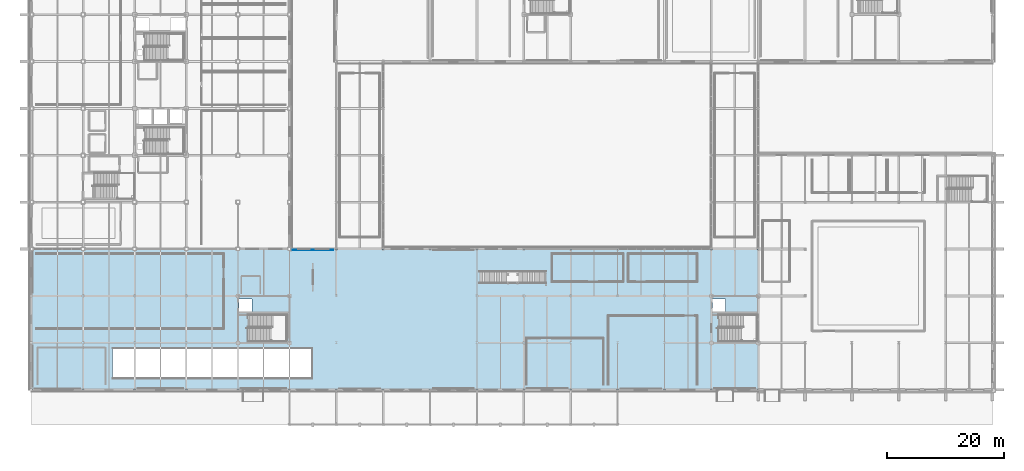
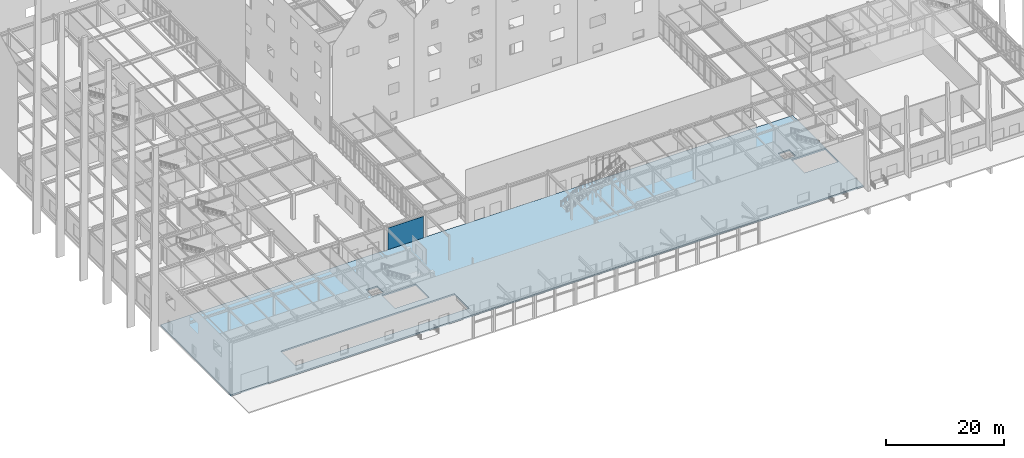
# One storey, part 55 of 119: 1 plate, 1 slab.
"""IFC4 building model written with IfcOpenShell, lengths in metres."""

import ifcopenshell
import ifcopenshell.guid

model = None  # the IFC model being written
_history = None  # IfcOwnerHistory: only IFC2X3 demands one
_inside = {}  # id of a spatial element -> (the spatial element, [elements in it])
_under = {}  # id of a project, library or spatial element -> (it, [spatial elements below it])
_declared = {}  # id of a project -> (the project, [libraries it declares])
_typed = {}  # id of a type object -> (the type object, [elements of that type])
_made_of = {}  # id of a material, layer set ... -> (it, [elements and type objects made of it])


def new_model(schema):
    """Start an empty IFC model of exactly this schema.

    Asked for "IFC4X3", IfcOpenShell would pick the latest addendum, in which some entities
    have other attributes; the version numbers below select the first issue.
    IFC2X3 requires an IfcOwnerHistory on every rooted entity: one is made here for all.
    """
    global model, _history
    if schema == "IFC4X3":
        model = ifcopenshell.file(schema_version=(4, 3, 0, 0))
    else:
        model = ifcopenshell.file(schema=schema)
    _inside.clear()
    _under.clear()
    _declared.clear()
    _typed.clear()
    _made_of.clear()
    _history = None
    if model.schema == "IFC2X3":
        org = make("IfcOrganization", Name="unknown")
        user = make(
            "IfcPersonAndOrganization",
            ThePerson=make("IfcPerson", FamilyName="unknown"),
            TheOrganization=org,
        )
        app = make(
            "IfcApplication",
            ApplicationDeveloper=org,
            Version="unknown",
            ApplicationFullName="unknown",
            ApplicationIdentifier="unknown",
        )
        _history = make(
            "IfcOwnerHistory",
            OwningUser=user,
            OwningApplication=app,
            ChangeAction="ADDED",
            CreationDate=0,
        )
    return model


def make(cls, **values):
    """One entity of the class cls with the attributes given. An attribute that is None is left unset."""
    return model.create_entity(
        cls, **{name: value for name, value in values.items() if value is not None}
    )


def rooted(cls, **values):
    """An entity with a GlobalId (a new one), such as an element, a storey or a relation."""
    return make(cls, GlobalId=ifcopenshell.guid.new(), OwnerHistory=_history, **values)


def si_unit(unit_type, name, prefix=None):
    """IfcSIUnit, for example si_unit("LENGTHUNIT", "METRE", prefix="MILLI")."""
    return make("IfcSIUnit", UnitType=unit_type, Prefix=prefix, Name=name)


def assignment(units):
    """IfcUnitAssignment: the units of a project."""
    return None if units is None else make("IfcUnitAssignment", Units=units)


def point(xyz):
    """IfcCartesianPoint."""
    return None if xyz is None else make("IfcCartesianPoint", Coordinates=xyz)


def direction(xyz):
    """IfcDirection."""
    return None if xyz is None else make("IfcDirection", DirectionRatios=xyz)


def frame(location, z_axis=None, x_axis=None):
    """IfcAxis2Placement3D, a coordinate frame: its origin and axes. An axis left out is left unset."""
    return make(
        "IfcAxis2Placement3D",
        Location=point(location),
        Axis=direction(z_axis),
        RefDirection=direction(x_axis),
    )


def frame_2d(location, x_axis=None):
    """IfcAxis2Placement2D, a coordinate frame in the plane: its origin and x axis."""
    return make(
        "IfcAxis2Placement2D", Location=point(location), RefDirection=direction(x_axis)
    )


def origin():
    """The frame at (0, 0, 0) with its axes left unset."""
    return frame((0.0, 0.0, 0.0))


def origin_2d():
    """The frame at (0, 0) in the plane with its x axis left unset."""
    return frame_2d((0.0, 0.0))


def place(relative_to, where):
    """IfcLocalPlacement: puts the frame where relative to a parent placement (None: the world)."""
    return make(
        "IfcLocalPlacement", PlacementRelTo=relative_to, RelativePlacement=where
    )


def context(
    kind, dimensions, precision=None, world=None, true_north=None, identifier=None
):
    """IfcGeometricRepresentationContext, for example the 3D "Model" context."""
    return make(
        "IfcGeometricRepresentationContext",
        ContextIdentifier=identifier,
        ContextType=kind,
        CoordinateSpaceDimension=dimensions,
        Precision=precision,
        WorldCoordinateSystem=world,
        TrueNorth=true_north,
    )


def subcontext(parent, identifier, kind, view, scale=None):
    """IfcGeometricRepresentationSubContext, for example "Body" below "Model"."""
    return make(
        "IfcGeometricRepresentationSubContext",
        ContextIdentifier=identifier,
        ContextType=kind,
        ParentContext=parent,
        TargetScale=scale,
        TargetView=view,
    )


def project(units=None, contexts=None):
    """IfcProject with its units and contexts."""
    return rooted(
        "IfcProject",
        Name="project",
        RepresentationContexts=contexts,
        UnitsInContext=assignment(units),
    )


def spatial(cls, under=None, at=None, **own):
    """A site, building, storey or space (cls), placed at a placement, below another one or the project."""
    s = rooted(cls, ObjectPlacement=at, **own)
    if under is not None:
        _under.setdefault(under.id(), (under, []))[1].append(s)
    return s


def polyline(points):
    """IfcPolyline through the points."""
    return make("IfcPolyline", Points=[point(p) for p in points])


def profile(cls, at=None, kind="AREA", **sizes):
    """A parametric profile (cls). Its sizes go by their IFC names, for example OverallWidth=200.0."""
    return make(cls, ProfileType=kind, Position=at, **sizes)


def rectangle(**sizes):
    """IfcRectangleProfileDef."""
    return profile("IfcRectangleProfileDef", **sizes)


def outline(outer, holes=None, kind="AREA"):
    """IfcArbitraryClosedProfileDef: a profile drawn as a closed curve; with holes, ...WithVoids."""
    if holes is None:
        return make("IfcArbitraryClosedProfileDef", ProfileType=kind, OuterCurve=outer)
    return make(
        "IfcArbitraryProfileDefWithVoids",
        ProfileType=kind,
        OuterCurve=outer,
        InnerCurves=holes,
    )


def extrude(swept, where, along, depth):
    """IfcExtrudedAreaSolid: the profile swept, set in the frame where, extruded along a direction by depth."""
    return make(
        "IfcExtrudedAreaSolid",
        SweptArea=swept,
        Position=where,
        ExtrudedDirection=direction(along),
        Depth=depth,
    )


def shape(context_of_items, identifier, shape_type, items):
    """IfcShapeRepresentation: the items that make up one representation, for example the "Body"."""
    return make(
        "IfcShapeRepresentation",
        ContextOfItems=context_of_items,
        RepresentationIdentifier=identifier,
        RepresentationType=shape_type,
        Items=items,
    )


def material(Name=None, Category=None):
    """IfcMaterial."""
    return make("IfcMaterial", Name=Name, Category=Category)


def layer(
    of_material, thickness, ventilated=None, Name=None, Category=None, Priority=None
):
    """IfcMaterialLayer: one layer of a wall or slab, of a material (None: an air gap)."""
    return make(
        "IfcMaterialLayer",
        Material=of_material,
        LayerThickness=thickness,
        IsVentilated=ventilated,
        Name=Name,
        Category=Category,
        Priority=Priority,
    )


def layer_set(layers, Name=None):
    """IfcMaterialLayerSet."""
    return make("IfcMaterialLayerSet", MaterialLayers=layers, LayerSetName=Name)


def made_of(thing, what):
    """Note that an element or type object is made of a material, layer set ...; save() writes the relation."""
    if what is not None:
        _made_of.setdefault(what.id(), (what, []))[1].append(thing)
    return thing


def type_object(cls, material=None, **own):
    """A type object (cls), such as IfcWallType, which elements share."""
    return made_of(rooted(cls, **own), material)


def element(
    cls,
    number,
    at=None,
    inside=None,
    cuts=None,
    type_object=None,
    material=None,
    context=None,
    identifier="Body",
    shape_type=None,
    held_by="IfcProductDefinitionShape",
    body=None,
    shapes=None,
    **own,
):
    """One element of the class cls, such as IfcWall. Its Tag is "e" and its number.

    at: its placement. inside: the storey or other place that contains it. cuts: it is an
    opening in that element (IfcRelVoidsElement). A single representation is given by context,
    identifier, shape_type and body (its items); several are given by shapes. held_by: the class
    of the entity that holds the representations. save() writes the other relations.
    """
    e = rooted(cls, Tag="e%d" % number, ObjectPlacement=at, **own)
    if body is not None:
        shapes = [shape(context, identifier, shape_type, body)]
    if shapes is not None:
        e.Representation = make(held_by, Representations=shapes)
    if inside is not None:
        _inside.setdefault(inside.id(), (inside, []))[1].append(e)
    if cuts is not None:
        rooted(
            "IfcRelVoidsElement", RelatingBuildingElement=cuts, RelatedOpeningElement=e
        )
    if type_object is not None:
        _typed.setdefault(type_object.id(), (type_object, []))[1].append(e)
    return made_of(e, material)


def aggregate(whole, parts):
    """IfcRelAggregates: a whole, such as a stair, and the parts it consists of."""
    return rooted("IfcRelAggregates", RelatingObject=whole, RelatedObjects=parts)


def save(model, path):
    """Write the relations noted so far, then the file.

    IfcRelAggregates (storeys below a building ...), IfcRelContainedInSpatialStructure (elements
    in a storey), IfcRelDefinesByType, IfcRelAssociatesMaterial and IfcRelDeclares: one each for
    every whole, place, type object, material and project.
    """
    for whole, parts in _under.values():
        aggregate(whole, parts)
    for where, things in _inside.values():
        rooted(
            "IfcRelContainedInSpatialStructure",
            RelatedElements=things,
            RelatingStructure=where,
        )
    for kind, things in _typed.values():
        rooted("IfcRelDefinesByType", RelatedObjects=things, RelatingType=kind)
    for what, things in _made_of.values():
        rooted("IfcRelAssociatesMaterial", RelatedObjects=things, RelatingMaterial=what)
    for by, libraries in _declared.values():
        rooted("IfcRelDeclares", RelatingContext=by, RelatedDefinitions=libraries)
    model.write(path)


model = new_model("IFC4")

# Units and contexts
model_context = context("Model", 3, precision=1e-05, world=origin(), true_north=direction((0.0, 1.0)))
body_context = subcontext(model_context, "Body", "Model", "MODEL_VIEW")
ifc_project = project(units=[si_unit("LENGTHUNIT", "METRE"), si_unit("AREAUNIT", "SQUARE_METRE"), si_unit("VOLUMEUNIT", "CUBIC_METRE"), si_unit("PLANEANGLEUNIT", "RADIAN"), si_unit("MASSUNIT", "GRAM", prefix="KILO")], contexts=[model_context])

# Site, building, storey
site_placement = place(None, origin())
site = spatial("IfcSite", under=ifc_project, at=site_placement, CompositionType="ELEMENT")
building_placement = place(site_placement, origin())
building = spatial("IfcBuilding", under=site, at=building_placement, Name="Zhaolan Boulevard Law Courts", CompositionType="ELEMENT")
storey_placement = place(building_placement, origin())
storey = spatial("IfcBuildingStorey", under=building, at=storey_placement, Name="L00", CompositionType="ELEMENT", Elevation=0.0)

# Slab
ifc_material_1 = material(Name="Concrete C40", Category="concrete")
ifc_layer_1 = layer(ifc_material_1, 0.300048828125)
ifc_layer_set_1 = layer_set([ifc_layer_1])
slab_type = type_object("IfcSlabType", Name="FLOOR SLAB 300", PredefinedType="FLOOR", material=ifc_layer_set_1)
slab_placement = place(storey_placement, frame((0.0, 0.0, -0.300048828125)))
element("IfcSlab", 1, at=slab_placement, inside=storey, type_object=slab_type, Name="Slab SLB-L00-V4", PredefinedType="FLOOR", context=body_context, shape_type="SweptSolid", body=[
    extrude(outline(polyline([(0.0, 6.0), (124.0, 6.0), (124.0, 30.0), (0.0, 30.0), (0.0, 6.0)]), holes=[polyline([(35.375, 19.300048828125), (37.625, 19.300048828125), (37.625, 21.5), (35.375, 21.5), (35.375, 19.300048828125)]), polyline([(116.175048828125, 19.300048828125), (118.425048828125, 19.300048828125), (118.425048828125, 21.5), (116.175048828125, 21.5), (116.175048828125, 19.300048828125)]), polyline([(36.949951171875, 14.25), (43.550048828125, 14.25), (43.550048828125, 18.75), (36.949951171875, 18.75), (36.949951171875, 14.25)]), polyline([(117.25, 14.25), (123.85009765625, 14.25), (123.85009765625, 18.75), (117.25, 18.75), (117.25, 14.25)]), polyline([(13.800048828125, 8.0), (47.800048828125, 8.0), (47.800048828125, 13.0), (13.800048828125, 13.0), (13.800048828125, 8.0)])]), origin(), (0.0, 0.0, 1.0), 0.300048828125),
])

# Plate
ifc_material_2 = material(Name="Pale mist-grey standing-seam Al-Mg-Mn zinc-titanium")
ifc_layer_2 = layer(ifc_material_2, 0.06005859375)
ifc_layer_set_2 = layer_set([ifc_layer_2])
plate_type = type_object("IfcPlateType", Name="STANDING SEAM PLATE 60", PredefinedType="SHEET", material=ifc_layer_set_2)
plate_placement = place(storey_placement, frame((48.0, 29.81005859375, 0.099609375), z_axis=(0.0, 0.0, 1.0), x_axis=(-1.0, 0.0, 0.0)))
element("IfcPlate", 2, at=plate_placement, inside=storey, type_object=plate_type, Name="Standing-Seam Metal Wall Cladding SSP-L00-136", PredefinedType="SHEET", context=body_context, shape_type="SweptSolid", body=[
    extrude(rectangle(XDim=6.9599609375, YDim=0.06005859375, at=origin_2d()), origin(), (0.0, 0.0, 1.0), 4.48291015625),
])

save(model, "model.ifc")
